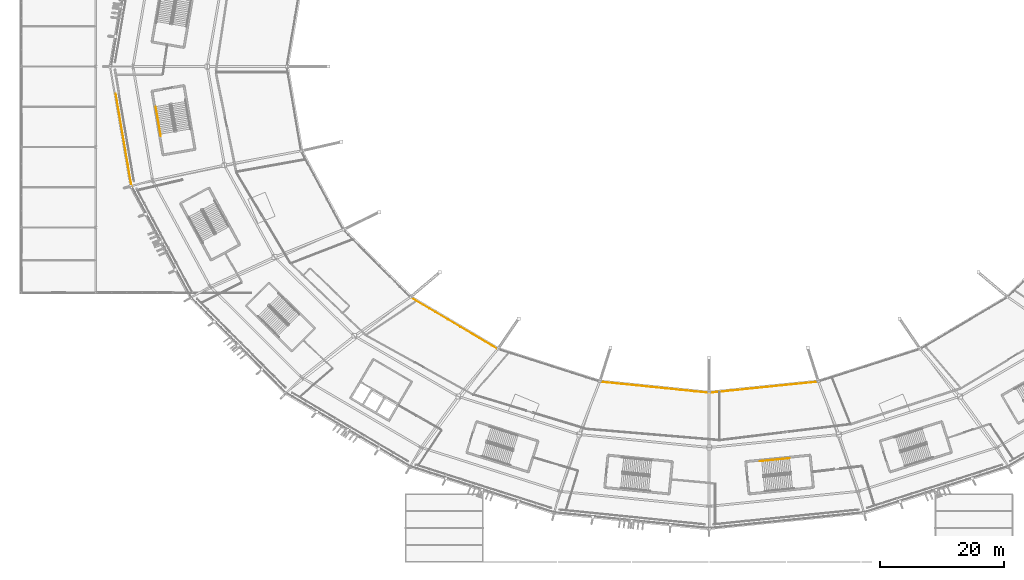
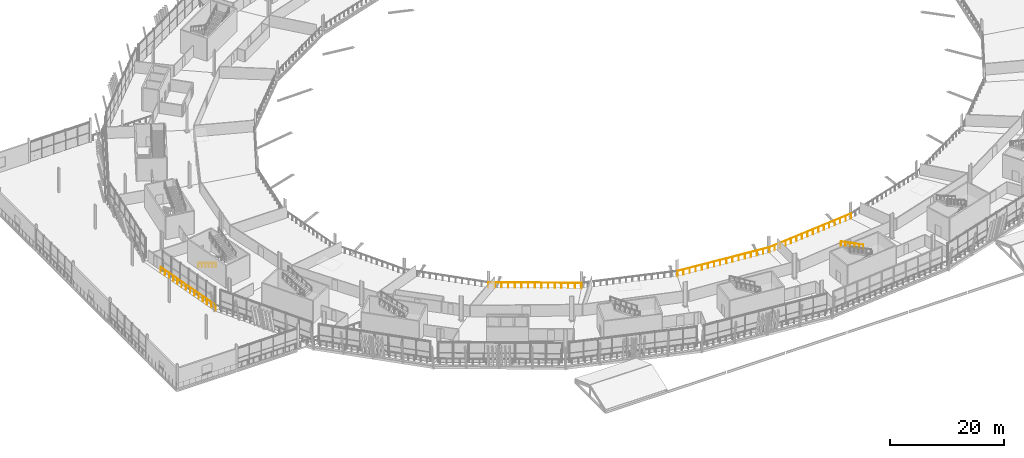
# One storey, part 145 of 168: 6 railings.
"""IFC4 building model written with IfcOpenShell, lengths in metres."""

from ifc_helpers import new_model, si_unit, direction, frame, origin, origin_2d, place, context, subcontext, project, spatial, rectangle, extrude, material, type_object, element, save


model = new_model("IFC4")

# Units and contexts
model_context = context("Model", 3, precision=1e-05, world=origin(), true_north=direction((0.0, 1.0)))
body_context = subcontext(model_context, "Body", "Model", "MODEL_VIEW")
ifc_project = project(units=[si_unit("LENGTHUNIT", "METRE"), si_unit("AREAUNIT", "SQUARE_METRE"), si_unit("VOLUMEUNIT", "CUBIC_METRE"), si_unit("PLANEANGLEUNIT", "RADIAN"), si_unit("MASSUNIT", "GRAM", prefix="KILO")], contexts=[model_context])

# Site, building, storey
site_placement = place(None, origin())
site = spatial("IfcSite", under=ifc_project, at=site_placement, CompositionType="ELEMENT")
building_placement = place(site_placement, origin())
building = spatial("IfcBuilding", under=site, at=building_placement, Name="Zlatoyarsky Gate Stadium", CompositionType="ELEMENT")
storey_placement = place(building_placement, frame((0.0, 0.0, 15.60009765625)))
storey = spatial("IfcBuildingStorey", under=building, at=storey_placement, Name="L03", CompositionType="ELEMENT", Elevation=15.60009765625)

# Railings
ifc_material_1 = material(Name="Powder-coated steel tubular guardrail", Category="steel")
railing_type_1 = type_object("IfcRailingType", Name="CONCOURSE SLAB EDGE GUARDRAIL 1200", PredefinedType="GUARDRAIL", material=ifc_material_1)
railing_1_placement = place(storey_placement, frame((62.78955078125, 42.74951171875, 0.0)))
element("IfcRailing", 1, at=railing_1_placement, inside=storey, type_object=railing_type_1, Name="L03 inner bowl edge guardrail 15", PredefinedType="GUARDRAIL", context=body_context, shape_type="SweptSolid", body=[
    extrude(rectangle(XDim=0.048095703125, YDim=0.048095703125, at=origin_2d()), frame((0.0, 0.0, 1.17578125), z_axis=(0.860179176511, -0.509991945325, 0.0), x_axis=(0.509991945325, 0.860179176511, 0.0)), (0.0, 0.0, 1.0), 16.41552734375),
    extrude(rectangle(XDim=0.0419921875, YDim=0.0419921875, at=origin_2d()), origin(), (0.0, 0.0, 1.0), 1.15185546875),
    extrude(rectangle(XDim=0.0419921875, YDim=0.0419921875, at=origin_2d()), frame((1.008544921875, -0.597900390625, 0.0)), (0.0, 0.0, 1.0), 1.15185546875),
    extrude(rectangle(XDim=0.0419921875, YDim=0.0419921875, at=origin_2d()), frame((2.01708984375, -1.196044921875, 0.0)), (0.0, 0.0, 1.0), 1.15185546875),
    extrude(rectangle(XDim=0.0419921875, YDim=0.0419921875, at=origin_2d()), frame((3.02587890625, -1.7939453125, 0.0)), (0.0, 0.0, 1.0), 1.15185546875),
    extrude(rectangle(XDim=0.0419921875, YDim=0.0419921875, at=origin_2d()), frame((4.034423828125, -2.391845703125, 0.0)), (0.0, 0.0, 1.0), 1.15185546875),
    extrude(rectangle(XDim=0.0419921875, YDim=0.0419921875, at=origin_2d()), frame((5.04296875, -2.989990234375, 0.0)), (0.0, 0.0, 1.0), 1.15185546875),
    extrude(rectangle(XDim=0.0419921875, YDim=0.0419921875, at=origin_2d()), frame((6.051513671875, -3.587890625, 0.0)), (0.0, 0.0, 1.0), 1.15185546875),
    extrude(rectangle(XDim=0.0419921875, YDim=0.0419921875, at=origin_2d()), frame((7.06005859375, -4.18603515625, 0.0)), (0.0, 0.0, 1.0), 1.15185546875),
    extrude(rectangle(XDim=0.0419921875, YDim=0.0419921875, at=origin_2d()), frame((8.06884765625, -4.783935546875, 0.0)), (0.0, 0.0, 1.0), 1.15185546875),
    extrude(rectangle(XDim=0.0419921875, YDim=0.0419921875, at=origin_2d()), frame((9.077392578125, -5.3818359375, 0.0)), (0.0, 0.0, 1.0), 1.15185546875),
    extrude(rectangle(XDim=0.0419921875, YDim=0.0419921875, at=origin_2d()), frame((10.0859375, -5.97998046875, 0.0)), (0.0, 0.0, 1.0), 1.15185546875),
    extrude(rectangle(XDim=0.0419921875, YDim=0.0419921875, at=origin_2d()), frame((11.094482421875, -6.577880859375, 0.0)), (0.0, 0.0, 1.0), 1.15185546875),
    extrude(rectangle(XDim=0.0419921875, YDim=0.0419921875, at=origin_2d()), frame((12.103271484375, -7.17578125, 0.0)), (0.0, 0.0, 1.0), 1.15185546875),
    extrude(rectangle(XDim=0.0419921875, YDim=0.0419921875, at=origin_2d()), frame((13.11181640625, -7.77392578125, 0.0)), (0.0, 0.0, 1.0), 1.15185546875),
    extrude(rectangle(XDim=0.0419921875, YDim=0.0419921875, at=origin_2d()), frame((14.120361328125, -8.371826171875, 0.0)), (0.0, 0.0, 1.0), 1.15185546875),
])
railing_2_placement = place(storey_placement, frame((93.353759765625, 29.114990234375, 0.0)))
element("IfcRailing", 2, at=railing_2_placement, inside=storey, type_object=railing_type_1, Name="L03 inner bowl edge guardrail 17", PredefinedType="GUARDRAIL", context=body_context, shape_type="SweptSolid", body=[
    extrude(rectangle(XDim=0.048095703125, YDim=0.048095703125, at=origin_2d()), frame((0.0, 0.0, 1.17578125), z_axis=(0.994866629764, -0.101194807095, 0.0), x_axis=(0.101194807095, 0.994866629764, 0.0)), (0.0, 0.0, 1.0), 17.7373046875),
    extrude(rectangle(XDim=0.0419921875, YDim=0.0419921875, at=origin_2d()), origin(), (0.0, 0.0, 1.0), 1.15185546875),
    extrude(rectangle(XDim=0.0419921875, YDim=0.0419921875, at=origin_2d()), frame((1.176513671875, -0.11962890625, 0.0)), (0.0, 0.0, 1.0), 1.15185546875),
    extrude(rectangle(XDim=0.0419921875, YDim=0.0419921875, at=origin_2d()), frame((2.352783203125, -0.2392578125, 0.0)), (0.0, 0.0, 1.0), 1.15185546875),
    extrude(rectangle(XDim=0.0419921875, YDim=0.0419921875, at=origin_2d()), frame((3.529296875, -0.35888671875, 0.0)), (0.0, 0.0, 1.0), 1.15185546875),
    extrude(rectangle(XDim=0.0419921875, YDim=0.0419921875, at=origin_2d()), frame((4.70556640625, -0.478759765625, 0.0)), (0.0, 0.0, 1.0), 1.15185546875),
    extrude(rectangle(XDim=0.0419921875, YDim=0.0419921875, at=origin_2d()), frame((5.882080078125, -0.598388671875, 0.0)), (0.0, 0.0, 1.0), 1.15185546875),
    extrude(rectangle(XDim=0.0419921875, YDim=0.0419921875, at=origin_2d()), frame((7.05859375, -0.718017578125, 0.0)), (0.0, 0.0, 1.0), 1.15185546875),
    extrude(rectangle(XDim=0.0419921875, YDim=0.0419921875, at=origin_2d()), frame((8.23486328125, -0.837646484375, 0.0)), (0.0, 0.0, 1.0), 1.15185546875),
    extrude(rectangle(XDim=0.0419921875, YDim=0.0419921875, at=origin_2d()), frame((9.411376953125, -0.957275390625, 0.0)), (0.0, 0.0, 1.0), 1.15185546875),
    extrude(rectangle(XDim=0.0419921875, YDim=0.0419921875, at=origin_2d()), frame((10.587646484375, -1.076904296875, 0.0)), (0.0, 0.0, 1.0), 1.15185546875),
    extrude(rectangle(XDim=0.0419921875, YDim=0.0419921875, at=origin_2d()), frame((11.76416015625, -1.196533203125, 0.0)), (0.0, 0.0, 1.0), 1.15185546875),
    extrude(rectangle(XDim=0.0419921875, YDim=0.0419921875, at=origin_2d()), frame((12.940673828125, -1.316162109375, 0.0)), (0.0, 0.0, 1.0), 1.15185546875),
    extrude(rectangle(XDim=0.0419921875, YDim=0.0419921875, at=origin_2d()), frame((14.116943359375, -1.43603515625, 0.0)), (0.0, 0.0, 1.0), 1.15185546875),
    extrude(rectangle(XDim=0.0419921875, YDim=0.0419921875, at=origin_2d()), frame((15.29345703125, -1.5556640625, 0.0)), (0.0, 0.0, 1.0), 1.15185546875),
    extrude(rectangle(XDim=0.0419921875, YDim=0.0419921875, at=origin_2d()), frame((16.4697265625, -1.67529296875, 0.0)), (0.0, 0.0, 1.0), 1.15185546875),
    extrude(rectangle(XDim=0.0419921875, YDim=0.0419921875, at=origin_2d()), frame((17.646240234375, -1.794921875, 0.0)), (0.0, 0.0, 1.0), 1.15185546875),
])
railing_3_placement = place(storey_placement, frame((111.0, 27.320068359375, 0.0)))
element("IfcRailing", 3, at=railing_3_placement, inside=storey, type_object=railing_type_1, Name="L03 inner bowl edge guardrail 18", PredefinedType="GUARDRAIL", context=body_context, shape_type="SweptSolid", body=[
    extrude(rectangle(XDim=0.048095703125, YDim=0.048095703125, at=origin_2d()), frame((0.0, 0.0, 1.17578125), z_axis=(0.994866629764, 0.101194807095, 0.0), x_axis=(-0.101194807095, 0.994866629764, 0.0)), (0.0, 0.0, 1.0), 17.7373046875),
    extrude(rectangle(XDim=0.0419921875, YDim=0.0419921875, at=origin_2d()), origin(), (0.0, 0.0, 1.0), 1.15185546875),
    extrude(rectangle(XDim=0.0419921875, YDim=0.0419921875, at=origin_2d()), frame((1.176513671875, 0.11962890625, 0.0)), (0.0, 0.0, 1.0), 1.15185546875),
    extrude(rectangle(XDim=0.0419921875, YDim=0.0419921875, at=origin_2d()), frame((2.352783203125, 0.2392578125, 0.0)), (0.0, 0.0, 1.0), 1.15185546875),
    extrude(rectangle(XDim=0.0419921875, YDim=0.0419921875, at=origin_2d()), frame((3.529296875, 0.35888671875, 0.0)), (0.0, 0.0, 1.0), 1.15185546875),
    extrude(rectangle(XDim=0.0419921875, YDim=0.0419921875, at=origin_2d()), frame((4.70556640625, 0.478759765625, 0.0)), (0.0, 0.0, 1.0), 1.15185546875),
    extrude(rectangle(XDim=0.0419921875, YDim=0.0419921875, at=origin_2d()), frame((5.882080078125, 0.598388671875, 0.0)), (0.0, 0.0, 1.0), 1.15185546875),
    extrude(rectangle(XDim=0.0419921875, YDim=0.0419921875, at=origin_2d()), frame((7.05859375, 0.718017578125, 0.0)), (0.0, 0.0, 1.0), 1.15185546875),
    extrude(rectangle(XDim=0.0419921875, YDim=0.0419921875, at=origin_2d()), frame((8.23486328125, 0.837646484375, 0.0)), (0.0, 0.0, 1.0), 1.15185546875),
    extrude(rectangle(XDim=0.0419921875, YDim=0.0419921875, at=origin_2d()), frame((9.411376953125, 0.957275390625, 0.0)), (0.0, 0.0, 1.0), 1.15185546875),
    extrude(rectangle(XDim=0.0419921875, YDim=0.0419921875, at=origin_2d()), frame((10.587646484375, 1.076904296875, 0.0)), (0.0, 0.0, 1.0), 1.15185546875),
    extrude(rectangle(XDim=0.0419921875, YDim=0.0419921875, at=origin_2d()), frame((11.76416015625, 1.196533203125, 0.0)), (0.0, 0.0, 1.0), 1.15185546875),
    extrude(rectangle(XDim=0.0419921875, YDim=0.0419921875, at=origin_2d()), frame((12.940673828125, 1.316162109375, 0.0)), (0.0, 0.0, 1.0), 1.15185546875),
    extrude(rectangle(XDim=0.0419921875, YDim=0.0419921875, at=origin_2d()), frame((14.116943359375, 1.43603515625, 0.0)), (0.0, 0.0, 1.0), 1.15185546875),
    extrude(rectangle(XDim=0.0419921875, YDim=0.0419921875, at=origin_2d()), frame((15.29345703125, 1.5556640625, 0.0)), (0.0, 0.0, 1.0), 1.15185546875),
    extrude(rectangle(XDim=0.0419921875, YDim=0.0419921875, at=origin_2d()), frame((16.4697265625, 1.67529296875, 0.0)), (0.0, 0.0, 1.0), 1.15185546875),
    extrude(rectangle(XDim=0.0419921875, YDim=0.0419921875, at=origin_2d()), frame((17.646240234375, 1.794921875, 0.0)), (0.0, 0.0, 1.0), 1.15185546875),
])
railing_4_placement = place(storey_placement, frame((15.225830078125, 75.61328125, 0.0)))
element("IfcRailing", 4, at=railing_4_placement, inside=storey, type_object=railing_type_1, Name="L03 outer slab edge guardrail 12", PredefinedType="GUARDRAIL", context=body_context, shape_type="SweptSolid", body=[
    extrude(rectangle(XDim=0.048095703125, YDim=0.048095703125, at=origin_2d()), frame((0.0, 0.0, 1.17578125), z_axis=(0.168082874377, -0.985772868029, 0.0), x_axis=(0.985772868029, 0.168082874377, 0.0)), (0.0, 0.0, 1.0), 15.1162109375),
    extrude(rectangle(XDim=0.0419921875, YDim=0.0419921875, at=origin_2d()), origin(), (0.0, 0.0, 1.0), 1.15185546875),
    extrude(rectangle(XDim=0.0419921875, YDim=0.0419921875, at=origin_2d()), frame((0.195556640625, -1.146240234375, 0.0)), (0.0, 0.0, 1.0), 1.15185546875),
    extrude(rectangle(XDim=0.0419921875, YDim=0.0419921875, at=origin_2d()), frame((0.390869140625, -2.29248046875, 0.0)), (0.0, 0.0, 1.0), 1.15185546875),
    extrude(rectangle(XDim=0.0419921875, YDim=0.0419921875, at=origin_2d()), frame((0.58642578125, -3.438720703125, 0.0)), (0.0, 0.0, 1.0), 1.15185546875),
    extrude(rectangle(XDim=0.0419921875, YDim=0.0419921875, at=origin_2d()), frame((0.78173828125, -4.5849609375, 0.0)), (0.0, 0.0, 1.0), 1.15185546875),
    extrude(rectangle(XDim=0.0419921875, YDim=0.0419921875, at=origin_2d()), frame((0.977294921875, -5.731201171875, 0.0)), (0.0, 0.0, 1.0), 1.15185546875),
    extrude(rectangle(XDim=0.0419921875, YDim=0.0419921875, at=origin_2d()), frame((1.172607421875, -6.87744140625, 0.0)), (0.0, 0.0, 1.0), 1.15185546875),
    extrude(rectangle(XDim=0.0419921875, YDim=0.0419921875, at=origin_2d()), frame((1.3681640625, -8.023681640625, 0.0)), (0.0, 0.0, 1.0), 1.15185546875),
    extrude(rectangle(XDim=0.0419921875, YDim=0.0419921875, at=origin_2d()), frame((1.5634765625, -9.169921875, 0.0)), (0.0, 0.0, 1.0), 1.15185546875),
    extrude(rectangle(XDim=0.0419921875, YDim=0.0419921875, at=origin_2d()), frame((1.759033203125, -10.316162109375, 0.0)), (0.0, 0.0, 1.0), 1.15185546875),
    extrude(rectangle(XDim=0.0419921875, YDim=0.0419921875, at=origin_2d()), frame((1.954345703125, -11.46240234375, 0.0)), (0.0, 0.0, 1.0), 1.15185546875),
    extrude(rectangle(XDim=0.0419921875, YDim=0.0419921875, at=origin_2d()), frame((2.14990234375, -12.608642578125, 0.0)), (0.0, 0.0, 1.0), 1.15185546875),
    extrude(rectangle(XDim=0.0419921875, YDim=0.0419921875, at=origin_2d()), frame((2.34521484375, -13.7548828125, 0.0)), (0.0, 0.0, 1.0), 1.15185546875),
    extrude(rectangle(XDim=0.0419921875, YDim=0.0419921875, at=origin_2d()), frame((2.540771484375, -14.901123046875, 0.0)), (0.0, 0.0, 1.0), 1.15185546875),
])
ifc_material_2 = material(Name="Brushed stainless steel 316 handrail", Category="steel")
railing_type_2 = type_object("IfcRailingType", Name="STAINLESS STEEL TUBULAR HANDRAIL 900", PredefinedType="HANDRAIL", material=ifc_material_2)
railing_5_placement = place(storey_placement, frame((21.673828125, 73.5234375, 0.16650390625)))
element("IfcRailing", 5, at=railing_5_placement, inside=storey, type_object=railing_type_2, Name="ST-07 L03 stair handrail 1", PredefinedType="HANDRAIL", context=body_context, shape_type="SweptSolid", body=[
    extrude(rectangle(XDim=0.048095703125, YDim=0.048095703125, at=origin_2d()), frame((0.0, 0.0, 0.8759765625), z_axis=(0.149420919788, -0.866516109218, 0.476259615332), x_axis=(0.985456004189, 0.169930761806, 0.0)), (0.0, 0.0, 1.0), 5.458984375),
    extrude(rectangle(XDim=0.0419921875, YDim=0.0419921875, at=origin_2d()), origin(), (0.0, 0.0, 1.0), 0.851806640625),
    extrude(rectangle(XDim=0.0419921875, YDim=0.0419921875, at=origin_2d()), frame((0.1630859375, -0.946044921875, 0.52001953125)), (0.0, 0.0, 1.0), 0.851806640625),
    extrude(rectangle(XDim=0.0419921875, YDim=0.0419921875, at=origin_2d()), frame((0.326171875, -1.89208984375, 1.0400390625)), (0.0, 0.0, 1.0), 0.851806640625),
    extrude(rectangle(XDim=0.0419921875, YDim=0.0419921875, at=origin_2d()), frame((0.489501953125, -2.838134765625, 1.559814453125)), (0.0, 0.0, 1.0), 0.851806640625),
    extrude(rectangle(XDim=0.0419921875, YDim=0.0419921875, at=origin_2d()), frame((0.652587890625, -3.7841796875, 2.079833984375)), (0.0, 0.0, 1.0), 0.851806640625),
    extrude(rectangle(XDim=0.0419921875, YDim=0.0419921875, at=origin_2d()), frame((0.815673828125, -4.730224609375, 2.599853515625)), (0.0, 0.0, 1.0), 0.851806640625),
])
railing_6_placement = place(storey_placement, frame((123.978515625, 16.75439453125, 2.766357421875)))
element("IfcRailing", 6, at=railing_6_placement, inside=storey, type_object=railing_type_2, Name="ST-10 L03 stair handrail 2", PredefinedType="HANDRAIL", context=body_context, shape_type="SweptSolid", body=[
    extrude(rectangle(XDim=0.048095703125, YDim=0.048095703125, at=origin_2d()), frame((0.0, 0.0, 0.8759765625), z_axis=(-0.874874668659, -0.08792575394, 0.47630176982), x_axis=(0.099997231792, -0.994987715318, 0.0)), (0.0, 0.0, 1.0), 5.458984375),
    extrude(rectangle(XDim=0.0419921875, YDim=0.0419921875, at=origin_2d()), origin(), (0.0, 0.0, 1.0), 0.851806640625),
    extrude(rectangle(XDim=0.0419921875, YDim=0.0419921875, at=origin_2d()), frame((-0.955078125, -0.095947265625, 0.52001953125)), (0.0, 0.0, 1.0), 0.851806640625),
    extrude(rectangle(XDim=0.0419921875, YDim=0.0419921875, at=origin_2d()), frame((-1.910400390625, -0.19189453125, 1.0400390625)), (0.0, 0.0, 1.0), 0.851806640625),
    extrude(rectangle(XDim=0.0419921875, YDim=0.0419921875, at=origin_2d()), frame((-2.865478515625, -0.2880859375, 1.56005859375)), (0.0, 0.0, 1.0), 0.851806640625),
    extrude(rectangle(XDim=0.0419921875, YDim=0.0419921875, at=origin_2d()), frame((-3.82080078125, -0.384033203125, 2.080078125)), (0.0, 0.0, 1.0), 0.851806640625),
    extrude(rectangle(XDim=0.0419921875, YDim=0.0419921875, at=origin_2d()), frame((-4.77587890625, -0.47998046875, 2.60009765625)), (0.0, 0.0, 1.0), 0.851806640625),
])

save(model, "model.ifc")
